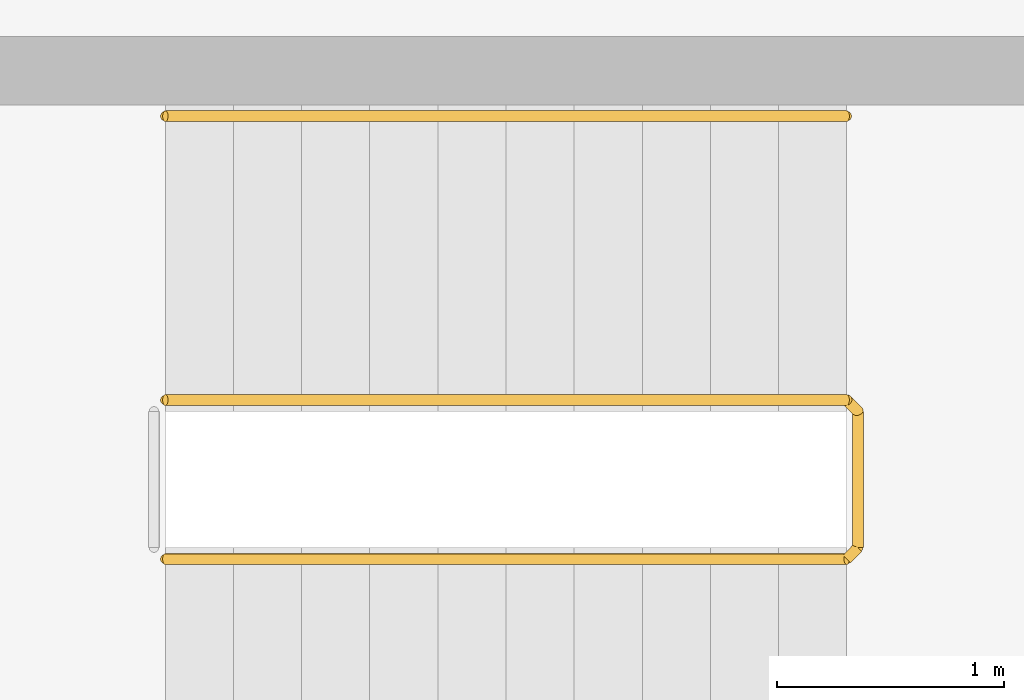
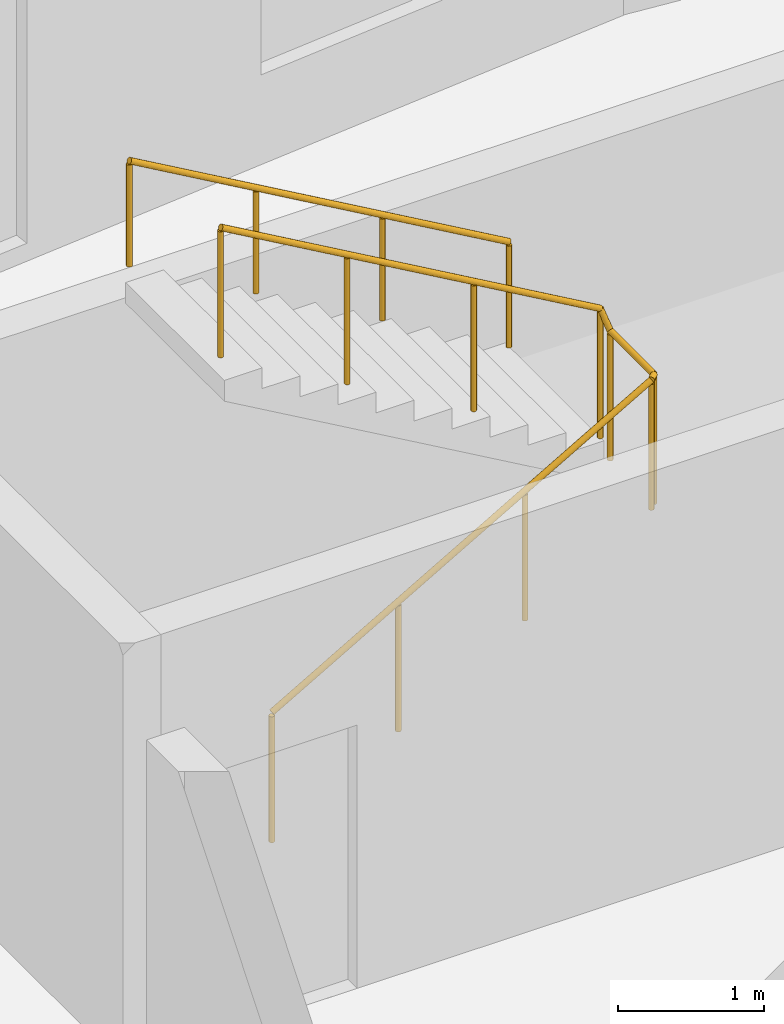
# One storey, part 11 of 11: 2 railings.
"""IFC4 building model written with IfcOpenShell, lengths in metres."""

from ifc_helpers import new_model, si_unit, direction, frame, origin, origin_2d, place, context, subcontext, project, spatial, circle, extrude, material, type_object, element, save


model = new_model("IFC4")

# Units and contexts
model_context = context("Model", 3, precision=1e-05, world=origin(), true_north=direction((0.0, 1.0)))
body_context = subcontext(model_context, "Body", "Model", "MODEL_VIEW")
ifc_project = project(units=[si_unit("LENGTHUNIT", "METRE"), si_unit("AREAUNIT", "SQUARE_METRE"), si_unit("VOLUMEUNIT", "CUBIC_METRE"), si_unit("PLANEANGLEUNIT", "RADIAN"), si_unit("MASSUNIT", "GRAM", prefix="KILO")], contexts=[model_context])

# Site, building, storey
site_placement = place(None, origin())
site = spatial("IfcSite", under=ifc_project, at=site_placement, CompositionType="ELEMENT")
building_placement = place(site_placement, origin())
building = spatial("IfcBuilding", under=site, at=building_placement, Name="Brondeck Convention Tower", CompositionType="ELEMENT")
storey_placement = place(building_placement, frame((0.0, 0.0, 122.699951171875)))
storey = spatial("IfcBuildingStorey", under=building, at=storey_placement, Name="L29", CompositionType="ELEMENT", Elevation=122.699951171875)

# Railings
ifc_material = material(Name="Steel S355", Category="steel")
railing_type_1 = type_object("IfcRailingType", Name="Stair guard 1100", PredefinedType="GUARDRAIL", material=ifc_material)
railing_1_placement = place(storey_placement, frame((37.85009765625, 55.449951171875, 0.1728515625)))
element("IfcRailing", 1, at=railing_1_placement, inside=storey, type_object=railing_type_1, Name="L29 ST-AE stair guard 1", PredefinedType="GUARDRAIL", context=body_context, shape_type="SweptSolid", body=[
    extrude(circle(Radius=0.02392578125, at=origin_2d()), frame((0.0, 0.0, 1.076171875), z_axis=(0.866619684472, 0.0, 0.498969260062), x_axis=(0.0, 1.0, 0.0)), (0.0, 0.0, 1.0), 3.461669921875),
    extrude(circle(Radius=0.02392578125, at=origin_2d()), frame((3.0, 0.0, 2.80322265625), z_axis=(0.705375805398, 0.708833529934, 0.0), x_axis=(-0.708833529934, 0.705375805398, 0.0)), (0.0, 0.0, 1.0), 0.070556640625),
    extrude(circle(Radius=0.02392578125, at=origin_2d()), frame((3.0498046875, 0.050048828125, 2.80322265625), z_axis=(0.0, 1.0, 0.0), x_axis=(-1.0, 0.0, 0.0)), (0.0, 0.0, 1.0), 0.60009765625),
    extrude(circle(Radius=0.02392578125, at=origin_2d()), frame((3.0498046875, 0.650146484375, 2.80322265625), z_axis=(-0.26715648603, 0.26715648603, 0.925880566782), x_axis=(-0.707106781187, -0.707106781187, 0.0)), (0.0, 0.0, 1.0), 0.1865234375),
    extrude(circle(Radius=0.02392578125, at=origin_2d()), frame((3.0, 0.699951171875, 2.97607421875), z_axis=(-0.866619684472, 0.0, 0.498969260062), x_axis=(0.0, -1.0, 0.0)), (0.0, 0.0, 1.0), 3.461669921875),
    extrude(circle(Radius=0.02099609375, at=origin_2d()), origin(), (0.0, 0.0, 1.0), 1.052001953125),
    extrude(circle(Radius=0.02099609375, at=origin_2d()), frame((1.0, 0.0, 0.57568359375)), (0.0, 0.0, 1.0), 1.052001953125),
    extrude(circle(Radius=0.02099609375, at=origin_2d()), frame((2.0, 0.0, 1.151611328125)), (0.0, 0.0, 1.0), 1.052001953125),
    extrude(circle(Radius=0.02099609375, at=origin_2d()), frame((3.0, 0.0, 1.727294921875)), (0.0, 0.0, 1.0), 1.052001953125),
    extrude(circle(Radius=0.02099609375, at=origin_2d()), frame((3.0498046875, 0.050048828125, 1.727294921875)), (0.0, 0.0, 1.0), 1.052001953125),
    extrude(circle(Radius=0.02099609375, at=origin_2d()), frame((3.0498046875, 0.650146484375, 1.727294921875)), (0.0, 0.0, 1.0), 1.052001953125),
    extrude(circle(Radius=0.02099609375, at=origin_2d()), frame((3.0, 0.699951171875, 1.89990234375)), (0.0, 0.0, 1.0), 1.052001953125),
    extrude(circle(Radius=0.02099609375, at=origin_2d()), frame((2.0, 0.699951171875, 2.4755859375)), (0.0, 0.0, 1.0), 1.052001953125),
    extrude(circle(Radius=0.02099609375, at=origin_2d()), frame((1.0, 0.699951171875, 3.051513671875)), (0.0, 0.0, 1.0), 1.052001953125),
    extrude(circle(Radius=0.02099609375, at=origin_2d()), frame((0.0, 0.699951171875, 3.627197265625)), (0.0, 0.0, 1.0), 1.052001953125),
])
railing_type_2 = type_object("IfcRailingType", Name="Stair handrail", PredefinedType="HANDRAIL", material=ifc_material)
railing_2_placement = place(storey_placement, frame((40.85009765625, 57.39990234375, 2.07275390625)))
element("IfcRailing", 2, at=railing_2_placement, inside=storey, type_object=railing_type_2, Name="L29 ST-AE stair handrail 2", PredefinedType="HANDRAIL", context=body_context, shape_type="SweptSolid", body=[
    extrude(circle(Radius=0.02392578125, at=origin_2d()), frame((0.0, 0.0, 0.8759765625), z_axis=(-0.866619684472, 0.0, 0.498969260062), x_axis=(0.0, -1.0, 0.0)), (0.0, 0.0, 1.0), 3.461669921875),
    extrude(circle(Radius=0.02099609375, at=origin_2d()), origin(), (0.0, 0.0, 1.0), 0.851806640625),
    extrude(circle(Radius=0.02099609375, at=origin_2d()), frame((-1.0, 0.0, 0.57568359375)), (0.0, 0.0, 1.0), 0.851806640625),
    extrude(circle(Radius=0.02099609375, at=origin_2d()), frame((-2.0, 0.0, 1.151611328125)), (0.0, 0.0, 1.0), 0.851806640625),
    extrude(circle(Radius=0.02099609375, at=origin_2d()), frame((-3.0, 0.0, 1.727294921875)), (0.0, 0.0, 1.0), 0.851806640625),
])

save(model, "model.ifc")
